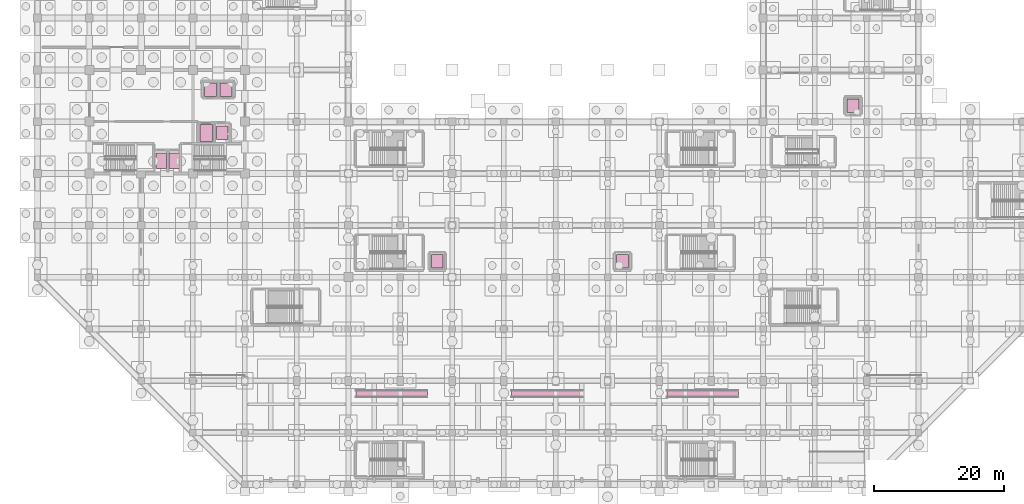
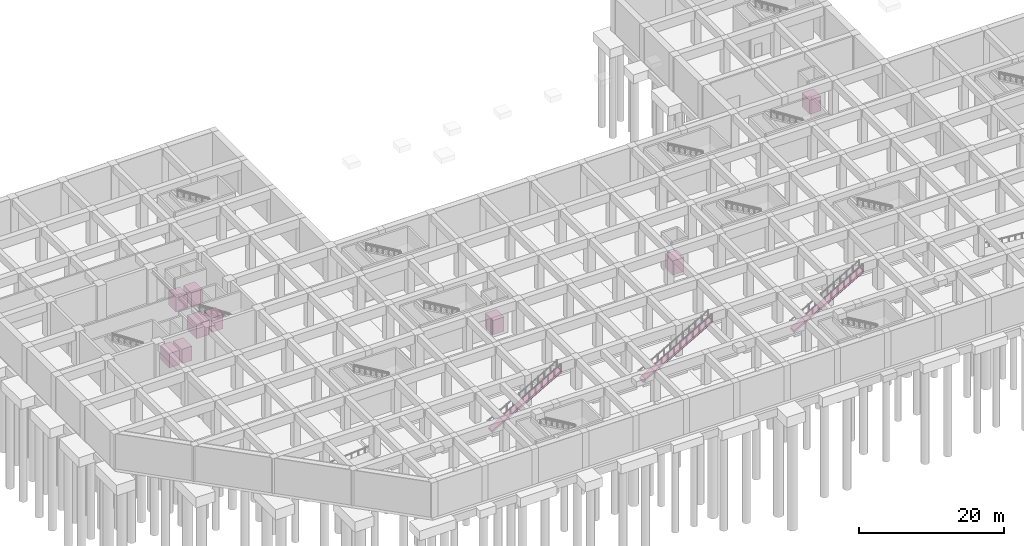
# One storey, part 26 of 26: 12 transport elements.
"""IFC4 building model written with IfcOpenShell, lengths in metres."""

from ifc_helpers import new_model, si_unit, direction, frame, origin, origin_2d, place, context, subcontext, project, spatial, polyline, rectangle, outline, extrude, material, type_object, element, save


model = new_model("IFC4")

# Units and contexts
model_context = context("Model", 3, precision=1e-05, world=origin(), true_north=direction((0.0, 1.0)))
body_context = subcontext(model_context, "Body", "Model", "MODEL_VIEW")
ifc_project = project(units=[si_unit("LENGTHUNIT", "METRE"), si_unit("AREAUNIT", "SQUARE_METRE"), si_unit("VOLUMEUNIT", "CUBIC_METRE"), si_unit("PLANEANGLEUNIT", "RADIAN"), si_unit("MASSUNIT", "GRAM", prefix="KILO")], contexts=[model_context])

# Site, building, storey
site_placement = place(None, origin())
site = spatial("IfcSite", under=ifc_project, at=site_placement, CompositionType="ELEMENT")
building_placement = place(site_placement, origin())
building = spatial("IfcBuilding", under=site, at=building_placement, Name="Varnela Railside Interchange", CompositionType="ELEMENT")
storey_placement = place(building_placement, frame((0.0, 0.0, -12.60009765625)))
storey = spatial("IfcBuildingStorey", under=building, at=storey_placement, Name="B2", CompositionType="ELEMENT", Elevation=-12.60009765625)

# Transport elements
ifc_material = material(Name="Steel AR 350 (350 MPa)", Category="steel")
transport_element_type_1 = type_object("IfcTransportElementType", Name="Firefighting Stretcher Lift Car LF-FF", PredefinedType="ELEVATOR", material=ifc_material)
for number, where, z_axis, x_axis, name in (
    (1, (23.10009765625, 56.0, 0.000244140625), (0.0, 0.0, 1.0), (1.0, 0.0, 0.0), "Firefighting & Stretcher Lift FL1"),
    (2, (25.10009765625, 56.0, 0.000244140625), (0.0, 0.0, 1.0), (1.0, 0.0, 0.0), "Firefighting & Stretcher Lift FL2"),
):
    element("IfcTransportElement", number, at=place(storey_placement, frame(where, z_axis=z_axis, x_axis=x_axis)), inside=storey, type_object=transport_element_type_1, Name=name, PredefinedType="ELEVATOR", context=body_context, shape_type="SweptSolid", body=[
        extrude(rectangle(XDim=1.60009765625, YDim=2.39990234375, at=origin_2d()), origin(), (0.0, 0.0, 1.0), 2.39990234375),
    ])
transport_element_type_2 = type_object("IfcTransportElementType", Name="Heavy-Duty Metro Escalator ESC-1000", PredefinedType="ESCALATOR", material=ifc_material)
for number, where, z_axis, x_axis, name in (
    (3, (53.199951171875, 20.0, 0.0), (0.0, 0.0, 1.0), (1.0, 0.0, 0.0), "Metro Platform Escalator ES1"),
    (4, (77.199951171875, 20.0, 0.0), (0.0, 0.0, 1.0), (1.0, 0.0, 0.0), "Metro Platform Escalator ES2"),
    (5, (101.199951171875, 20.0, 0.0), (0.0, 0.0, 1.0), (1.0, 0.0, 0.0), "Metro Platform Escalator ES3"),
):
    element("IfcTransportElement", number, at=place(storey_placement, frame(where, z_axis=z_axis, x_axis=x_axis)), inside=storey, type_object=transport_element_type_2, Name=name, PredefinedType="ESCALATOR", context=body_context, shape_type="SweptSolid", body=[
        extrude(outline(polyline([(0.0, -0.35009765625), (11.0, 5.949951171875), (11.0, 6.300048828125), (0.0, 0.0), (0.0, -0.35009765625)])), frame((0.0, 0.5, 0.0), z_axis=(0.0, -1.0, 0.0), x_axis=(1.0, 0.0, 0.0)), (0.0, 0.0, 1.0), 1.0),
    ])
transport_element_type_3 = type_object("IfcTransportElementType", Name="Operations Passenger Lift Car LF-PAX", PredefinedType="ELEVATOR", material=ifc_material)
for number, where, z_axis, x_axis, name in (
    (6, (30.699951171875, 66.949951171875, 0.000244140625), (0.0, 0.0, 1.0), (1.0, 0.0, 0.0), "Operations Control Lift LP4"),
    (7, (33.10009765625, 66.949951171875, 0.000244140625), (0.0, 0.0, 1.0), (1.0, 0.0, 0.0), "Operations Control Lift LP5"),
    (8, (32.5, 60.300048828125, 0.000244140625), (0.0, 0.0, 1.0), (1.0, 0.0, 0.0), "Operations Control Lift LP6"),
):
    element("IfcTransportElement", number, at=place(storey_placement, frame(where, z_axis=z_axis, x_axis=x_axis)), inside=storey, type_object=transport_element_type_3, Name=name, PredefinedType="ELEVATOR", context=body_context, shape_type="SweptSolid", body=[
        extrude(rectangle(XDim=1.800048828125, YDim=2.10009765625, at=origin_2d()), origin(), (0.0, 0.0, 1.0), 2.39990234375),
    ])
transport_element_type_4 = type_object("IfcTransportElementType", Name="Station & Pavilion Lift Car LF-STN", PredefinedType="ELEVATOR", material=ifc_material)
for number, where, z_axis, x_axis, name in (
    (9, (65.699951171875, 40.449951171875, 0.000244140625), (0.0, 0.0, 1.0), (1.0, 0.0, 0.0), "Station Accessible Lift SL1"),
    (10, (94.300048828125, 40.449951171875, 0.000244140625), (0.0, 0.0, 1.0), (1.0, 0.0, 0.0), "Station Accessible Lift SL2"),
    (11, (129.89990234375, 64.449951171875, 0.000244140625), (0.0, 0.0, 1.0), (1.0, 0.0, 0.0), "East Study Pavilion Lift SL3"),
):
    element("IfcTransportElement", number, at=place(storey_placement, frame(where, z_axis=z_axis, x_axis=x_axis)), inside=storey, type_object=transport_element_type_4, Name=name, PredefinedType="ELEVATOR", context=body_context, shape_type="SweptSolid", body=[
        extrude(rectangle(XDim=1.800048828125, YDim=2.10009765625, at=origin_2d()), origin(), (0.0, 0.0, 1.0), 2.39990234375),
    ])
transport_element_type_5 = type_object("IfcTransportElementType", Name="Transit Goods Lift Car LF-GDS", PredefinedType="ELEVATOR", material=ifc_material)
transport_element_placement = place(storey_placement, frame((30.050048828125, 60.25, 0.000244140625), z_axis=(0.0, 0.0, 1.0), x_axis=(1.0, 0.0, 0.0)))
element("IfcTransportElement", 12, at=transport_element_placement, inside=storey, type_object=transport_element_type_5, Name="Transit Goods & Service Lift GL1", PredefinedType="ELEVATOR", context=body_context, shape_type="SweptSolid", body=[
    extrude(rectangle(XDim=2.0, YDim=2.60009765625, at=origin_2d()), origin(), (0.0, 0.0, 1.0), 2.39990234375),
])

save(model, "model.ifc")
